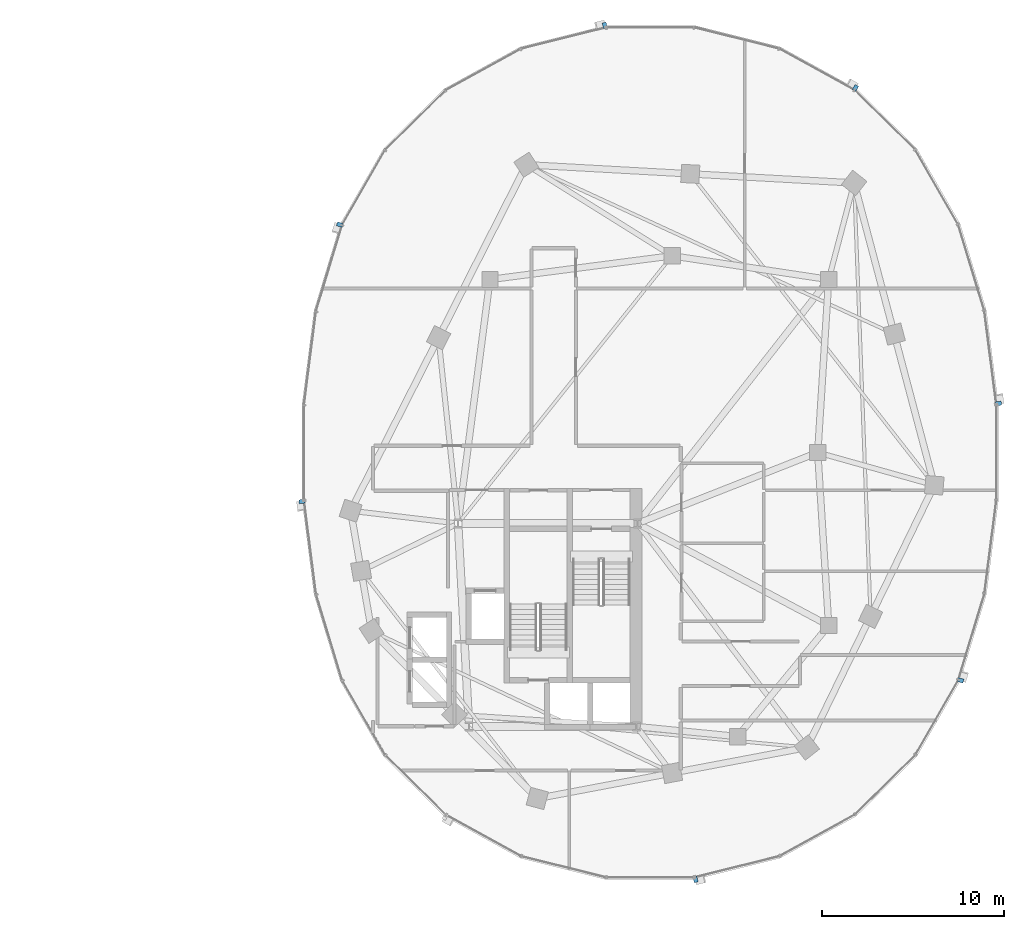
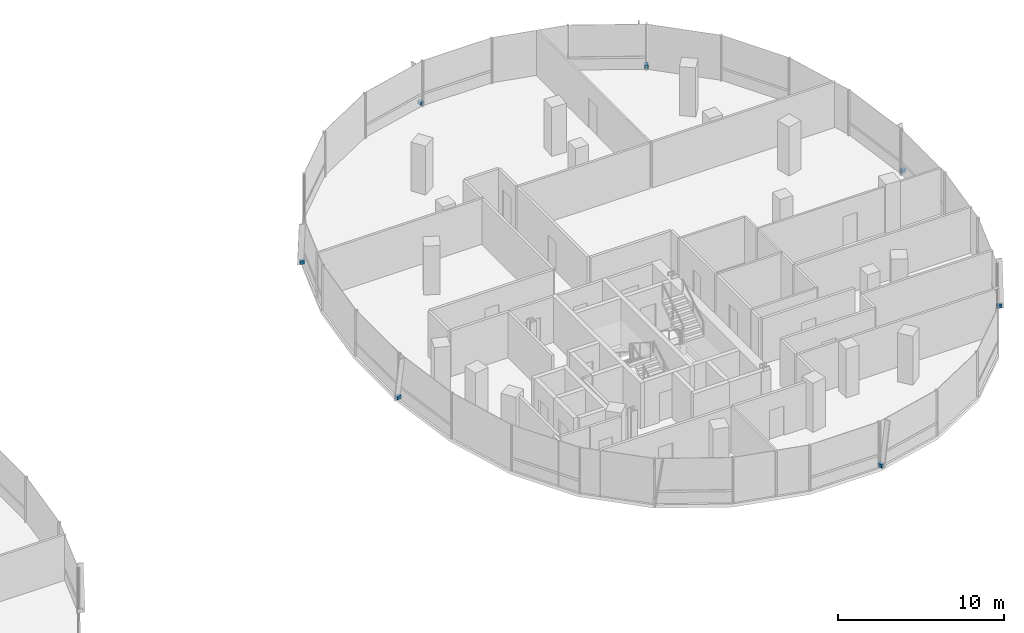
# One storey, part 17 of 22: 7 discrete accessories.
"""IFC4 building model written with IfcOpenShell, lengths in metres."""

import ifcopenshell
import ifcopenshell.guid

model = None  # the IFC model being written
_history = None  # IfcOwnerHistory: only IFC2X3 demands one
_inside = {}  # id of a spatial element -> (the spatial element, [elements in it])
_under = {}  # id of a project, library or spatial element -> (it, [spatial elements below it])
_declared = {}  # id of a project -> (the project, [libraries it declares])
_typed = {}  # id of a type object -> (the type object, [elements of that type])
_made_of = {}  # id of a material, layer set ... -> (it, [elements and type objects made of it])


def new_model(schema):
    """Start an empty IFC model of exactly this schema.

    Asked for "IFC4X3", IfcOpenShell would pick the latest addendum, in which some entities
    have other attributes; the version numbers below select the first issue.
    IFC2X3 requires an IfcOwnerHistory on every rooted entity: one is made here for all.
    """
    global model, _history
    if schema == "IFC4X3":
        model = ifcopenshell.file(schema_version=(4, 3, 0, 0))
    else:
        model = ifcopenshell.file(schema=schema)
    _inside.clear()
    _under.clear()
    _declared.clear()
    _typed.clear()
    _made_of.clear()
    _history = None
    if model.schema == "IFC2X3":
        org = make("IfcOrganization", Name="unknown")
        user = make(
            "IfcPersonAndOrganization",
            ThePerson=make("IfcPerson", FamilyName="unknown"),
            TheOrganization=org,
        )
        app = make(
            "IfcApplication",
            ApplicationDeveloper=org,
            Version="unknown",
            ApplicationFullName="unknown",
            ApplicationIdentifier="unknown",
        )
        _history = make(
            "IfcOwnerHistory",
            OwningUser=user,
            OwningApplication=app,
            ChangeAction="ADDED",
            CreationDate=0,
        )
    return model


def make(cls, **values):
    """One entity of the class cls with the attributes given. An attribute that is None is left unset."""
    return model.create_entity(
        cls, **{name: value for name, value in values.items() if value is not None}
    )


def rooted(cls, **values):
    """An entity with a GlobalId (a new one), such as an element, a storey or a relation."""
    return make(cls, GlobalId=ifcopenshell.guid.new(), OwnerHistory=_history, **values)


def si_unit(unit_type, name, prefix=None):
    """IfcSIUnit, for example si_unit("LENGTHUNIT", "METRE", prefix="MILLI")."""
    return make("IfcSIUnit", UnitType=unit_type, Prefix=prefix, Name=name)


def assignment(units):
    """IfcUnitAssignment: the units of a project."""
    return None if units is None else make("IfcUnitAssignment", Units=units)


def point(xyz):
    """IfcCartesianPoint."""
    return None if xyz is None else make("IfcCartesianPoint", Coordinates=xyz)


def direction(xyz):
    """IfcDirection."""
    return None if xyz is None else make("IfcDirection", DirectionRatios=xyz)


def frame(location, z_axis=None, x_axis=None):
    """IfcAxis2Placement3D, a coordinate frame: its origin and axes. An axis left out is left unset."""
    return make(
        "IfcAxis2Placement3D",
        Location=point(location),
        Axis=direction(z_axis),
        RefDirection=direction(x_axis),
    )


def frame_2d(location, x_axis=None):
    """IfcAxis2Placement2D, a coordinate frame in the plane: its origin and x axis."""
    return make(
        "IfcAxis2Placement2D", Location=point(location), RefDirection=direction(x_axis)
    )


def origin():
    """The frame at (0, 0, 0) with its axes left unset."""
    return frame((0.0, 0.0, 0.0))


def origin_2d():
    """The frame at (0, 0) in the plane with its x axis left unset."""
    return frame_2d((0.0, 0.0))


def place(relative_to, where):
    """IfcLocalPlacement: puts the frame where relative to a parent placement (None: the world)."""
    return make(
        "IfcLocalPlacement", PlacementRelTo=relative_to, RelativePlacement=where
    )


def context(
    kind, dimensions, precision=None, world=None, true_north=None, identifier=None
):
    """IfcGeometricRepresentationContext, for example the 3D "Model" context."""
    return make(
        "IfcGeometricRepresentationContext",
        ContextIdentifier=identifier,
        ContextType=kind,
        CoordinateSpaceDimension=dimensions,
        Precision=precision,
        WorldCoordinateSystem=world,
        TrueNorth=true_north,
    )


def subcontext(parent, identifier, kind, view, scale=None):
    """IfcGeometricRepresentationSubContext, for example "Body" below "Model"."""
    return make(
        "IfcGeometricRepresentationSubContext",
        ContextIdentifier=identifier,
        ContextType=kind,
        ParentContext=parent,
        TargetScale=scale,
        TargetView=view,
    )


def project(units=None, contexts=None):
    """IfcProject with its units and contexts."""
    return rooted(
        "IfcProject",
        Name="project",
        RepresentationContexts=contexts,
        UnitsInContext=assignment(units),
    )


def spatial(cls, under=None, at=None, **own):
    """A site, building, storey or space (cls), placed at a placement, below another one or the project."""
    s = rooted(cls, ObjectPlacement=at, **own)
    if under is not None:
        _under.setdefault(under.id(), (under, []))[1].append(s)
    return s


def profile(cls, at=None, kind="AREA", **sizes):
    """A parametric profile (cls). Its sizes go by their IFC names, for example OverallWidth=200.0."""
    return make(cls, ProfileType=kind, Position=at, **sizes)


def rectangle(**sizes):
    """IfcRectangleProfileDef."""
    return profile("IfcRectangleProfileDef", **sizes)


def extrude(swept, where, along, depth):
    """IfcExtrudedAreaSolid: the profile swept, set in the frame where, extruded along a direction by depth."""
    return make(
        "IfcExtrudedAreaSolid",
        SweptArea=swept,
        Position=where,
        ExtrudedDirection=direction(along),
        Depth=depth,
    )


def shape(context_of_items, identifier, shape_type, items):
    """IfcShapeRepresentation: the items that make up one representation, for example the "Body"."""
    return make(
        "IfcShapeRepresentation",
        ContextOfItems=context_of_items,
        RepresentationIdentifier=identifier,
        RepresentationType=shape_type,
        Items=items,
    )


def material(Name=None, Category=None):
    """IfcMaterial."""
    return make("IfcMaterial", Name=Name, Category=Category)


def made_of(thing, what):
    """Note that an element or type object is made of a material, layer set ...; save() writes the relation."""
    if what is not None:
        _made_of.setdefault(what.id(), (what, []))[1].append(thing)
    return thing


def type_object(cls, material=None, **own):
    """A type object (cls), such as IfcWallType, which elements share."""
    return made_of(rooted(cls, **own), material)


def element(
    cls,
    number,
    at=None,
    inside=None,
    cuts=None,
    type_object=None,
    material=None,
    context=None,
    identifier="Body",
    shape_type=None,
    held_by="IfcProductDefinitionShape",
    body=None,
    shapes=None,
    **own,
):
    """One element of the class cls, such as IfcWall. Its Tag is "e" and its number.

    at: its placement. inside: the storey or other place that contains it. cuts: it is an
    opening in that element (IfcRelVoidsElement). A single representation is given by context,
    identifier, shape_type and body (its items); several are given by shapes. held_by: the class
    of the entity that holds the representations. save() writes the other relations.
    """
    e = rooted(cls, Tag="e%d" % number, ObjectPlacement=at, **own)
    if body is not None:
        shapes = [shape(context, identifier, shape_type, body)]
    if shapes is not None:
        e.Representation = make(held_by, Representations=shapes)
    if inside is not None:
        _inside.setdefault(inside.id(), (inside, []))[1].append(e)
    if cuts is not None:
        rooted(
            "IfcRelVoidsElement", RelatingBuildingElement=cuts, RelatedOpeningElement=e
        )
    if type_object is not None:
        _typed.setdefault(type_object.id(), (type_object, []))[1].append(e)
    return made_of(e, material)


def aggregate(whole, parts):
    """IfcRelAggregates: a whole, such as a stair, and the parts it consists of."""
    return rooted("IfcRelAggregates", RelatingObject=whole, RelatedObjects=parts)


def save(model, path):
    """Write the relations noted so far, then the file.

    IfcRelAggregates (storeys below a building ...), IfcRelContainedInSpatialStructure (elements
    in a storey), IfcRelDefinesByType, IfcRelAssociatesMaterial and IfcRelDeclares: one each for
    every whole, place, type object, material and project.
    """
    for whole, parts in _under.values():
        aggregate(whole, parts)
    for where, things in _inside.values():
        rooted(
            "IfcRelContainedInSpatialStructure",
            RelatedElements=things,
            RelatingStructure=where,
        )
    for kind, things in _typed.values():
        rooted("IfcRelDefinesByType", RelatedObjects=things, RelatingType=kind)
    for what, things in _made_of.values():
        rooted("IfcRelAssociatesMaterial", RelatedObjects=things, RelatingMaterial=what)
    for by, libraries in _declared.values():
        rooted("IfcRelDeclares", RelatingContext=by, RelatedDefinitions=libraries)
    model.write(path)


model = new_model("IFC4")

# Units and contexts
model_context = context("Model", 3, precision=1e-05, world=origin(), true_north=direction((0.0, 1.0)))
body_context = subcontext(model_context, "Body", "Model", "MODEL_VIEW")
ifc_project = project(units=[si_unit("LENGTHUNIT", "METRE"), si_unit("AREAUNIT", "SQUARE_METRE"), si_unit("VOLUMEUNIT", "CUBIC_METRE"), si_unit("PLANEANGLEUNIT", "RADIAN"), si_unit("MASSUNIT", "GRAM", prefix="KILO"), si_unit("THERMODYNAMICTEMPERATUREUNIT", "KELVIN"), si_unit("POWERUNIT", "WATT")], contexts=[model_context])

# Site, building, storey
site_placement = place(None, origin())
site = spatial("IfcSite", under=ifc_project, at=site_placement, CompositionType="ELEMENT")
building_placement = place(site_placement, origin())
building = spatial("IfcBuilding", under=site, at=building_placement, Name="Cundina Bronze Exchange", CompositionType="ELEMENT")
storey_placement = place(building_placement, frame((0.0, 0.0, 151.199951171875)))
storey = spatial("IfcBuildingStorey", under=building, at=storey_placement, Name="L39", CompositionType="ELEMENT", Elevation=151.199951171875)

# Discrete accessories
ifc_material = material(Name="Anodised Bronze Aluminium 6063-T6", Category="aluminium")
discrete_accessory_type = type_object("IfcDiscreteAccessoryType", Name="ACC-BRK-FIN", PredefinedType="BRACKET", material=ifc_material)
for number, where, z_axis, x_axis, name in (
    (1, (51.125732421875, 2.69189453125, 0.10009765625), (0.0, 0.0, 1.0), (-0.126475984253, 0.9919696696, 0.0), "L39 Fin Support Bracket 1"),
    (2, (43.266845703125, 20.015380859375, 0.10009765625), (0.0, 0.0, 1.0), (-0.875869093438, 0.482548786301, 0.0), "L39 Fin Support Bracket 5"),
    (3, (29.507080078125, 23.44970703125, 0.10009765625), (0.0, 0.0, 1.0), (-0.970092713791, -0.242734683656, 0.0), "L39 Fin Support Bracket 1"),
    (4, (14.9541015625, 12.511962890625, 0.10009765625), (0.0, 0.0, 1.0), (-0.290050843957, -0.957011237092, 0.0), "L39 Fin Support Bracket 5"),
    (5, (12.874267578125, -2.69189453125, 0.10009765625), (0.0, 0.0, 1.0), (0.126475984253, -0.9919696696, 0.0), "L39 Fin Support Bracket 1"),
    (6, (34.492919921875, -23.44970703125, 0.10009765625), (0.0, 0.0, 1.0), (0.970092713791, 0.242734683656, 0.0), "L39 Fin Support Bracket 1"),
    (7, (49.0458984375, -12.511962890625, 0.10009765625), (0.0, 0.0, 1.0), (0.290050843957, 0.957011237092, 0.0), "L39 Fin Support Bracket 5"),
):
    element("IfcDiscreteAccessory", number, at=place(storey_placement, frame(where, z_axis=z_axis, x_axis=x_axis)), inside=storey, type_object=discrete_accessory_type, Name=name, PredefinedType="BRACKET", context=body_context, shape_type="SweptSolid", body=[
        extrude(rectangle(XDim=0.219970703125, YDim=0.320068359375, at=origin_2d()), origin(), (0.0, 0.0, 1.0), 0.239990234375),
    ])

save(model, "model.ifc")
